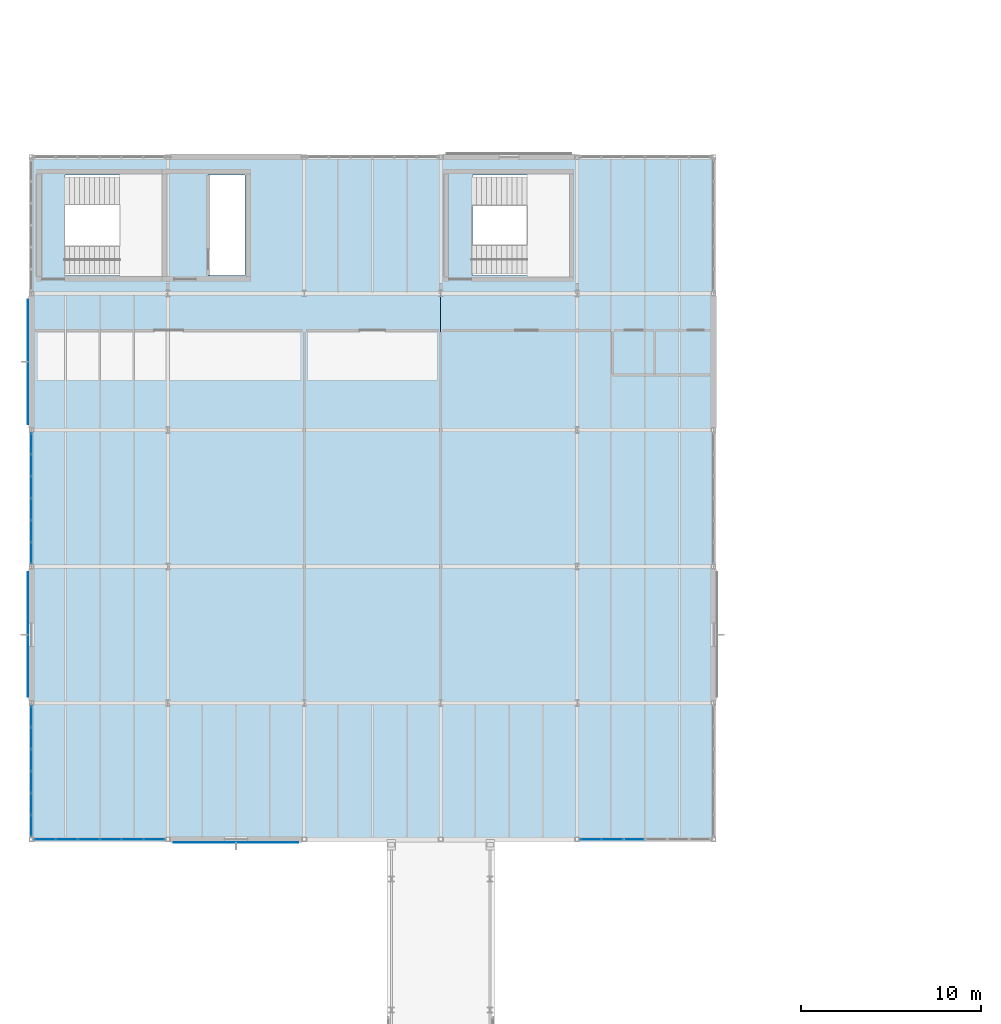
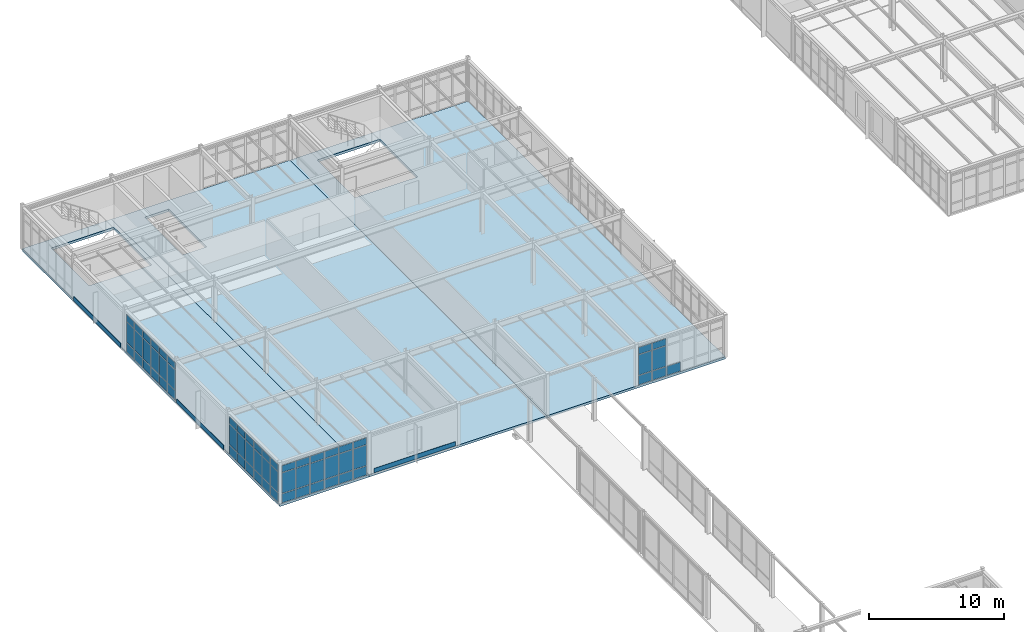
# One storey, part 143 of 189: 64 plates, 3 slabs, 4 elements without a shape of their own.
"""IFC4 building model written with IfcOpenShell, lengths in metres."""

import ifcopenshell
import ifcopenshell.guid

model = None  # the IFC model being written
_history = None  # IfcOwnerHistory: only IFC2X3 demands one
_inside = {}  # id of a spatial element -> (the spatial element, [elements in it])
_under = {}  # id of a project, library or spatial element -> (it, [spatial elements below it])
_declared = {}  # id of a project -> (the project, [libraries it declares])
_typed = {}  # id of a type object -> (the type object, [elements of that type])
_made_of = {}  # id of a material, layer set ... -> (it, [elements and type objects made of it])


def new_model(schema):
    """Start an empty IFC model of exactly this schema.

    Asked for "IFC4X3", IfcOpenShell would pick the latest addendum, in which some entities
    have other attributes; the version numbers below select the first issue.
    IFC2X3 requires an IfcOwnerHistory on every rooted entity: one is made here for all.
    """
    global model, _history
    if schema == "IFC4X3":
        model = ifcopenshell.file(schema_version=(4, 3, 0, 0))
    else:
        model = ifcopenshell.file(schema=schema)
    _inside.clear()
    _under.clear()
    _declared.clear()
    _typed.clear()
    _made_of.clear()
    _history = None
    if model.schema == "IFC2X3":
        org = make("IfcOrganization", Name="unknown")
        user = make(
            "IfcPersonAndOrganization",
            ThePerson=make("IfcPerson", FamilyName="unknown"),
            TheOrganization=org,
        )
        app = make(
            "IfcApplication",
            ApplicationDeveloper=org,
            Version="unknown",
            ApplicationFullName="unknown",
            ApplicationIdentifier="unknown",
        )
        _history = make(
            "IfcOwnerHistory",
            OwningUser=user,
            OwningApplication=app,
            ChangeAction="ADDED",
            CreationDate=0,
        )
    return model


def make(cls, **values):
    """One entity of the class cls with the attributes given. An attribute that is None is left unset."""
    return model.create_entity(
        cls, **{name: value for name, value in values.items() if value is not None}
    )


def rooted(cls, **values):
    """An entity with a GlobalId (a new one), such as an element, a storey or a relation."""
    return make(cls, GlobalId=ifcopenshell.guid.new(), OwnerHistory=_history, **values)


def si_unit(unit_type, name, prefix=None):
    """IfcSIUnit, for example si_unit("LENGTHUNIT", "METRE", prefix="MILLI")."""
    return make("IfcSIUnit", UnitType=unit_type, Prefix=prefix, Name=name)


def assignment(units):
    """IfcUnitAssignment: the units of a project."""
    return None if units is None else make("IfcUnitAssignment", Units=units)


def point(xyz):
    """IfcCartesianPoint."""
    return None if xyz is None else make("IfcCartesianPoint", Coordinates=xyz)


def direction(xyz):
    """IfcDirection."""
    return None if xyz is None else make("IfcDirection", DirectionRatios=xyz)


def frame(location, z_axis=None, x_axis=None):
    """IfcAxis2Placement3D, a coordinate frame: its origin and axes. An axis left out is left unset."""
    return make(
        "IfcAxis2Placement3D",
        Location=point(location),
        Axis=direction(z_axis),
        RefDirection=direction(x_axis),
    )


def frame_2d(location, x_axis=None):
    """IfcAxis2Placement2D, a coordinate frame in the plane: its origin and x axis."""
    return make(
        "IfcAxis2Placement2D", Location=point(location), RefDirection=direction(x_axis)
    )


def origin():
    """The frame at (0, 0, 0) with its axes left unset."""
    return frame((0.0, 0.0, 0.0))


def origin_2d():
    """The frame at (0, 0) in the plane with its x axis left unset."""
    return frame_2d((0.0, 0.0))


def place(relative_to, where):
    """IfcLocalPlacement: puts the frame where relative to a parent placement (None: the world)."""
    return make(
        "IfcLocalPlacement", PlacementRelTo=relative_to, RelativePlacement=where
    )


def context(
    kind, dimensions, precision=None, world=None, true_north=None, identifier=None
):
    """IfcGeometricRepresentationContext, for example the 3D "Model" context."""
    return make(
        "IfcGeometricRepresentationContext",
        ContextIdentifier=identifier,
        ContextType=kind,
        CoordinateSpaceDimension=dimensions,
        Precision=precision,
        WorldCoordinateSystem=world,
        TrueNorth=true_north,
    )


def subcontext(parent, identifier, kind, view, scale=None):
    """IfcGeometricRepresentationSubContext, for example "Body" below "Model"."""
    return make(
        "IfcGeometricRepresentationSubContext",
        ContextIdentifier=identifier,
        ContextType=kind,
        ParentContext=parent,
        TargetScale=scale,
        TargetView=view,
    )


def project(units=None, contexts=None):
    """IfcProject with its units and contexts."""
    return rooted(
        "IfcProject",
        Name="project",
        RepresentationContexts=contexts,
        UnitsInContext=assignment(units),
    )


def spatial(cls, under=None, at=None, **own):
    """A site, building, storey or space (cls), placed at a placement, below another one or the project."""
    s = rooted(cls, ObjectPlacement=at, **own)
    if under is not None:
        _under.setdefault(under.id(), (under, []))[1].append(s)
    return s


def polyline(points):
    """IfcPolyline through the points."""
    return make("IfcPolyline", Points=[point(p) for p in points])


def profile(cls, at=None, kind="AREA", **sizes):
    """A parametric profile (cls). Its sizes go by their IFC names, for example OverallWidth=200.0."""
    return make(cls, ProfileType=kind, Position=at, **sizes)


def rectangle(**sizes):
    """IfcRectangleProfileDef."""
    return profile("IfcRectangleProfileDef", **sizes)


def outline(outer, holes=None, kind="AREA"):
    """IfcArbitraryClosedProfileDef: a profile drawn as a closed curve; with holes, ...WithVoids."""
    if holes is None:
        return make("IfcArbitraryClosedProfileDef", ProfileType=kind, OuterCurve=outer)
    return make(
        "IfcArbitraryProfileDefWithVoids",
        ProfileType=kind,
        OuterCurve=outer,
        InnerCurves=holes,
    )


def extrude(swept, where, along, depth):
    """IfcExtrudedAreaSolid: the profile swept, set in the frame where, extruded along a direction by depth."""
    return make(
        "IfcExtrudedAreaSolid",
        SweptArea=swept,
        Position=where,
        ExtrudedDirection=direction(along),
        Depth=depth,
    )


def shape(context_of_items, identifier, shape_type, items):
    """IfcShapeRepresentation: the items that make up one representation, for example the "Body"."""
    return make(
        "IfcShapeRepresentation",
        ContextOfItems=context_of_items,
        RepresentationIdentifier=identifier,
        RepresentationType=shape_type,
        Items=items,
    )


def material(Name=None, Category=None):
    """IfcMaterial."""
    return make("IfcMaterial", Name=Name, Category=Category)


def layer(
    of_material, thickness, ventilated=None, Name=None, Category=None, Priority=None
):
    """IfcMaterialLayer: one layer of a wall or slab, of a material (None: an air gap)."""
    return make(
        "IfcMaterialLayer",
        Material=of_material,
        LayerThickness=thickness,
        IsVentilated=ventilated,
        Name=Name,
        Category=Category,
        Priority=Priority,
    )


def layer_set(layers, Name=None):
    """IfcMaterialLayerSet."""
    return make("IfcMaterialLayerSet", MaterialLayers=layers, LayerSetName=Name)


def made_of(thing, what):
    """Note that an element or type object is made of a material, layer set ...; save() writes the relation."""
    if what is not None:
        _made_of.setdefault(what.id(), (what, []))[1].append(thing)
    return thing


def type_object(cls, material=None, **own):
    """A type object (cls), such as IfcWallType, which elements share."""
    return made_of(rooted(cls, **own), material)


def element(
    cls,
    number,
    at=None,
    inside=None,
    cuts=None,
    type_object=None,
    material=None,
    context=None,
    identifier="Body",
    shape_type=None,
    held_by="IfcProductDefinitionShape",
    body=None,
    shapes=None,
    **own,
):
    """One element of the class cls, such as IfcWall. Its Tag is "e" and its number.

    at: its placement. inside: the storey or other place that contains it. cuts: it is an
    opening in that element (IfcRelVoidsElement). A single representation is given by context,
    identifier, shape_type and body (its items); several are given by shapes. held_by: the class
    of the entity that holds the representations. save() writes the other relations.
    """
    e = rooted(cls, Tag="e%d" % number, ObjectPlacement=at, **own)
    if body is not None:
        shapes = [shape(context, identifier, shape_type, body)]
    if shapes is not None:
        e.Representation = make(held_by, Representations=shapes)
    if inside is not None:
        _inside.setdefault(inside.id(), (inside, []))[1].append(e)
    if cuts is not None:
        rooted(
            "IfcRelVoidsElement", RelatingBuildingElement=cuts, RelatedOpeningElement=e
        )
    if type_object is not None:
        _typed.setdefault(type_object.id(), (type_object, []))[1].append(e)
    return made_of(e, material)


def aggregate(whole, parts):
    """IfcRelAggregates: a whole, such as a stair, and the parts it consists of."""
    return rooted("IfcRelAggregates", RelatingObject=whole, RelatedObjects=parts)


def save(model, path):
    """Write the relations noted so far, then the file.

    IfcRelAggregates (storeys below a building ...), IfcRelContainedInSpatialStructure (elements
    in a storey), IfcRelDefinesByType, IfcRelAssociatesMaterial and IfcRelDeclares: one each for
    every whole, place, type object, material and project.
    """
    for whole, parts in _under.values():
        aggregate(whole, parts)
    for where, things in _inside.values():
        rooted(
            "IfcRelContainedInSpatialStructure",
            RelatedElements=things,
            RelatingStructure=where,
        )
    for kind, things in _typed.values():
        rooted("IfcRelDefinesByType", RelatedObjects=things, RelatingType=kind)
    for what, things in _made_of.values():
        rooted("IfcRelAssociatesMaterial", RelatedObjects=things, RelatingMaterial=what)
    for by, libraries in _declared.values():
        rooted("IfcRelDeclares", RelatingContext=by, RelatedDefinitions=libraries)
    model.write(path)


model = new_model("IFC4")

# Units and contexts
model_context = context("Model", 3, precision=1e-05, world=origin(), true_north=direction((0.0, 1.0)))
body_context = subcontext(model_context, "Body", "Model", "MODEL_VIEW")
ifc_project = project(units=[si_unit("LENGTHUNIT", "METRE"), si_unit("AREAUNIT", "SQUARE_METRE"), si_unit("VOLUMEUNIT", "CUBIC_METRE"), si_unit("PLANEANGLEUNIT", "RADIAN"), si_unit("MASSUNIT", "GRAM", prefix="KILO")], contexts=[model_context])

# Site, building, storey
site_placement = place(None, origin())
site = spatial("IfcSite", under=ifc_project, at=site_placement, CompositionType="ELEMENT")
building_placement = place(site_placement, origin())
building = spatial("IfcBuilding", under=site, at=building_placement, Name="Montecoro Central Library", CompositionType="ELEMENT")
storey_placement = place(building_placement, frame((0.0, 0.0, 9.179931640625)))
storey = spatial("IfcBuildingStorey", under=building, at=storey_placement, Name="L02", CompositionType="ELEMENT", Elevation=9.179931640625)

# Curtain wall, plates
ifc_material_1 = material(Name="Bronze-anodised aluminium and low-E glazing", Category="aluminium")
ifc_layer_1 = layer(ifc_material_1, 0.159912109375)
ifc_layer_set_1 = layer_set([ifc_layer_1], Name="Bronze-anodised aluminium and low-E glazing")
curtain_wall_type_1 = type_object("IfcCurtainWallType", Name="CWT-049", PredefinedType="NOTDEFINED", material=ifc_layer_set_1)
curtain_wall_1_placement = place(storey_placement, origin())
curtain_wall_1 = element("IfcCurtainWall", 1, at=curtain_wall_1_placement, inside=storey, type_object=curtain_wall_type_1, Name="V4-L02-CW-W2", PredefinedType="NOTDEFINED")
ifc_material_2 = material(Name="Laminated low-E double glazing", Category="glass")
ifc_layer_2 = layer(ifc_material_2, 0.02587890625)
ifc_layer_set_2 = layer_set([ifc_layer_2], Name="Laminated low-E double glazing")
plate_type_1 = type_object("IfcPlateType", Name="CWP-GLZ-01", PredefinedType="CURTAIN_PANEL", material=ifc_layer_set_2)
plate_1_placement = place(storey_placement, frame((5.0, 95.44091796875, 0.06005859375), z_axis=(0.0, 0.0, 1.0), x_axis=(0.0, -1.0, 0.0)))
plate_1 = element("IfcPlate", 2, at=plate_1_placement, type_object=plate_type_1, Name="CW-049 panel 1.1", PredefinedType="CURTAIN_PANEL", context=body_context, shape_type="SweptSolid", body=[
    extrude(rectangle(XDim=1.13232421875, YDim=0.02587890625, at=origin_2d()), origin(), (0.0, 0.0, 1.0), 0.81005859375),
])
plate_2_placement = place(storey_placement, frame((5.0, 95.44091796875, 0.93017578125), z_axis=(0.0, 0.0, 1.0), x_axis=(0.0, -1.0, 0.0)))
plate_2 = element("IfcPlate", 3, at=plate_2_placement, type_object=plate_type_1, Name="CW-049 panel 1.2", PredefinedType="CURTAIN_PANEL", context=body_context, shape_type="SweptSolid", body=[
    extrude(rectangle(XDim=1.13232421875, YDim=0.02587890625, at=origin_2d()), origin(), (0.0, 0.0, 1.0), 1.820068359375),
])
plate_3_placement = place(storey_placement, frame((5.0, 95.44091796875, 2.81005859375), z_axis=(0.0, 0.0, 1.0), x_axis=(0.0, -1.0, 0.0)))
plate_3 = element("IfcPlate", 4, at=plate_3_placement, type_object=plate_type_1, Name="CW-049 panel 1.3", PredefinedType="CURTAIN_PANEL", context=body_context, shape_type="SweptSolid", body=[
    extrude(rectangle(XDim=1.13232421875, YDim=0.02587890625, at=origin_2d()), origin(), (0.0, 0.0, 1.0), 0.610107421875),
])
plate_4_placement = place(storey_placement, frame((5.0, 94.2333984375, 0.06005859375), z_axis=(0.0, 0.0, 1.0), x_axis=(0.0, -1.0, 0.0)))
plate_4 = element("IfcPlate", 5, at=plate_4_placement, type_object=plate_type_1, Name="CW-049 panel 2.1", PredefinedType="CURTAIN_PANEL", context=body_context, shape_type="SweptSolid", body=[
    extrude(rectangle(XDim=1.162353515625, YDim=0.02587890625, at=origin_2d()), origin(), (0.0, 0.0, 1.0), 0.81005859375),
])
plate_5_placement = place(storey_placement, frame((5.0, 94.2333984375, 0.93017578125), z_axis=(0.0, 0.0, 1.0), x_axis=(0.0, -1.0, 0.0)))
plate_5 = element("IfcPlate", 6, at=plate_5_placement, type_object=plate_type_1, Name="CW-049 panel 2.2", PredefinedType="CURTAIN_PANEL", context=body_context, shape_type="SweptSolid", body=[
    extrude(rectangle(XDim=1.162353515625, YDim=0.02587890625, at=origin_2d()), origin(), (0.0, 0.0, 1.0), 1.820068359375),
])
plate_6_placement = place(storey_placement, frame((5.0, 94.2333984375, 2.81005859375), z_axis=(0.0, 0.0, 1.0), x_axis=(0.0, -1.0, 0.0)))
plate_6 = element("IfcPlate", 7, at=plate_6_placement, type_object=plate_type_1, Name="CW-049 panel 2.3", PredefinedType="CURTAIN_PANEL", context=body_context, shape_type="SweptSolid", body=[
    extrude(rectangle(XDim=1.162353515625, YDim=0.02587890625, at=origin_2d()), origin(), (0.0, 0.0, 1.0), 0.610107421875),
])
plate_7_placement = place(storey_placement, frame((5.0, 93.01123046875, 0.06005859375), z_axis=(0.0, 0.0, 1.0), x_axis=(0.0, -1.0, 0.0)))
plate_7 = element("IfcPlate", 8, at=plate_7_placement, type_object=plate_type_1, Name="CW-049 panel 3.1", PredefinedType="CURTAIN_PANEL", context=body_context, shape_type="SweptSolid", body=[
    extrude(rectangle(XDim=1.162353515625, YDim=0.02587890625, at=origin_2d()), origin(), (0.0, 0.0, 1.0), 0.81005859375),
])
plate_8_placement = place(storey_placement, frame((5.0, 93.01123046875, 0.93017578125), z_axis=(0.0, 0.0, 1.0), x_axis=(0.0, -1.0, 0.0)))
plate_8 = element("IfcPlate", 9, at=plate_8_placement, type_object=plate_type_1, Name="CW-049 panel 3.2", PredefinedType="CURTAIN_PANEL", context=body_context, shape_type="SweptSolid", body=[
    extrude(rectangle(XDim=1.162353515625, YDim=0.02587890625, at=origin_2d()), origin(), (0.0, 0.0, 1.0), 1.820068359375),
])
plate_9_placement = place(storey_placement, frame((5.0, 93.01123046875, 2.81005859375), z_axis=(0.0, 0.0, 1.0), x_axis=(0.0, -1.0, 0.0)))
plate_9 = element("IfcPlate", 10, at=plate_9_placement, type_object=plate_type_1, Name="CW-049 panel 3.3", PredefinedType="CURTAIN_PANEL", context=body_context, shape_type="SweptSolid", body=[
    extrude(rectangle(XDim=1.162353515625, YDim=0.02587890625, at=origin_2d()), origin(), (0.0, 0.0, 1.0), 0.610107421875),
])
plate_10_placement = place(storey_placement, frame((5.0, 91.788818359375, 0.06005859375), z_axis=(0.0, 0.0, 1.0), x_axis=(0.0, -1.0, 0.0)))
plate_10 = element("IfcPlate", 11, at=plate_10_placement, type_object=plate_type_1, Name="CW-049 panel 4.1", PredefinedType="CURTAIN_PANEL", context=body_context, shape_type="SweptSolid", body=[
    extrude(rectangle(XDim=1.162353515625, YDim=0.02587890625, at=origin_2d()), origin(), (0.0, 0.0, 1.0), 0.81005859375),
])
plate_11_placement = place(storey_placement, frame((5.0, 91.788818359375, 0.93017578125), z_axis=(0.0, 0.0, 1.0), x_axis=(0.0, -1.0, 0.0)))
plate_11 = element("IfcPlate", 12, at=plate_11_placement, type_object=plate_type_1, Name="CW-049 panel 4.2", PredefinedType="CURTAIN_PANEL", context=body_context, shape_type="SweptSolid", body=[
    extrude(rectangle(XDim=1.162353515625, YDim=0.02587890625, at=origin_2d()), origin(), (0.0, 0.0, 1.0), 1.820068359375),
])
plate_12_placement = place(storey_placement, frame((5.0, 91.788818359375, 2.81005859375), z_axis=(0.0, 0.0, 1.0), x_axis=(0.0, -1.0, 0.0)))
plate_12 = element("IfcPlate", 13, at=plate_12_placement, type_object=plate_type_1, Name="CW-049 panel 4.3", PredefinedType="CURTAIN_PANEL", context=body_context, shape_type="SweptSolid", body=[
    extrude(rectangle(XDim=1.162353515625, YDim=0.02587890625, at=origin_2d()), origin(), (0.0, 0.0, 1.0), 0.610107421875),
])
plate_13_placement = place(storey_placement, frame((5.0, 90.56640625, 0.06005859375), z_axis=(0.0, 0.0, 1.0), x_axis=(0.0, -1.0, 0.0)))
plate_13 = element("IfcPlate", 14, at=plate_13_placement, type_object=plate_type_1, Name="CW-049 panel 5.1", PredefinedType="CURTAIN_PANEL", context=body_context, shape_type="SweptSolid", body=[
    extrude(rectangle(XDim=1.162353515625, YDim=0.02587890625, at=origin_2d()), origin(), (0.0, 0.0, 1.0), 0.81005859375),
])
plate_14_placement = place(storey_placement, frame((5.0, 90.56640625, 0.93017578125), z_axis=(0.0, 0.0, 1.0), x_axis=(0.0, -1.0, 0.0)))
plate_14 = element("IfcPlate", 15, at=plate_14_placement, type_object=plate_type_1, Name="CW-049 panel 5.2", PredefinedType="CURTAIN_PANEL", context=body_context, shape_type="SweptSolid", body=[
    extrude(rectangle(XDim=1.162353515625, YDim=0.02587890625, at=origin_2d()), origin(), (0.0, 0.0, 1.0), 1.820068359375),
])
plate_15_placement = place(storey_placement, frame((5.0, 90.56640625, 2.81005859375), z_axis=(0.0, 0.0, 1.0), x_axis=(0.0, -1.0, 0.0)))
plate_15 = element("IfcPlate", 16, at=plate_15_placement, type_object=plate_type_1, Name="CW-049 panel 5.3", PredefinedType="CURTAIN_PANEL", context=body_context, shape_type="SweptSolid", body=[
    extrude(rectangle(XDim=1.162353515625, YDim=0.02587890625, at=origin_2d()), origin(), (0.0, 0.0, 1.0), 0.610107421875),
])
plate_16_placement = place(storey_placement, frame((5.0, 89.359130859375, 0.06005859375), z_axis=(0.0, 0.0, 1.0), x_axis=(0.0, -1.0, 0.0)))
plate_16 = element("IfcPlate", 17, at=plate_16_placement, type_object=plate_type_1, Name="CW-049 panel 6.1", PredefinedType="CURTAIN_PANEL", context=body_context, shape_type="SweptSolid", body=[
    extrude(rectangle(XDim=1.13232421875, YDim=0.02587890625, at=origin_2d()), origin(), (0.0, 0.0, 1.0), 0.81005859375),
])
plate_17_placement = place(storey_placement, frame((5.0, 89.359130859375, 0.93017578125), z_axis=(0.0, 0.0, 1.0), x_axis=(0.0, -1.0, 0.0)))
plate_17 = element("IfcPlate", 18, at=plate_17_placement, type_object=plate_type_1, Name="CW-049 panel 6.2", PredefinedType="CURTAIN_PANEL", context=body_context, shape_type="SweptSolid", body=[
    extrude(rectangle(XDim=1.13232421875, YDim=0.02587890625, at=origin_2d()), origin(), (0.0, 0.0, 1.0), 1.820068359375),
])
plate_18_placement = place(storey_placement, frame((5.0, 89.359130859375, 2.81005859375), z_axis=(0.0, 0.0, 1.0), x_axis=(0.0, -1.0, 0.0)))
plate_18 = element("IfcPlate", 19, at=plate_18_placement, type_object=plate_type_1, Name="CW-049 panel 6.3", PredefinedType="CURTAIN_PANEL", context=body_context, shape_type="SweptSolid", body=[
    extrude(rectangle(XDim=1.13232421875, YDim=0.02587890625, at=origin_2d()), origin(), (0.0, 0.0, 1.0), 0.610107421875),
])
aggregate(curtain_wall_1, [plate_1, plate_2, plate_3, plate_4, plate_5, plate_6, plate_7, plate_8, plate_9, plate_10, plate_11, plate_12, plate_13, plate_14, plate_15, plate_16, plate_17, plate_18])

ifc_layer_3 = layer(ifc_material_1, 0.159912109375)
ifc_layer_set_3 = layer_set([ifc_layer_3], Name="Bronze-anodised aluminium and low-E glazing")
curtain_wall_type_2 = type_object("IfcCurtainWallType", Name="CWT-046", PredefinedType="NOTDEFINED", material=ifc_layer_set_3)
curtain_wall_2_placement = place(storey_placement, origin())
curtain_wall_2 = element("IfcCurtainWall", 20, at=curtain_wall_2_placement, inside=storey, type_object=curtain_wall_type_2, Name="V4-L02-CW-S4", PredefinedType="NOTDEFINED")
ifc_layer_4 = layer(ifc_material_2, 0.033935546875)
ifc_layer_set_4 = layer_set([ifc_layer_4], Name="Laminated low-E double glazing")
plate_type_2 = type_object("IfcPlateType", Name="CWP-GLZ-03", PredefinedType="CURTAIN_PANEL", material=ifc_layer_set_4)
plate_19_placement = place(storey_placement, frame((36.1591796875, 73.39990234375, 0.06005859375), z_axis=(0.0, 0.0, 1.0), x_axis=(1.0, 0.0, 0.0)))
plate_19 = element("IfcPlate", 21, at=plate_19_placement, type_object=plate_type_2, Name="CW-046 panel 1.1", PredefinedType="CURTAIN_PANEL", context=body_context, shape_type="SweptSolid", body=[
    extrude(rectangle(XDim=1.13232421875, YDim=0.033935546875, at=origin_2d()), origin(), (0.0, 0.0, 1.0), 0.81005859375),
])
plate_20_placement = place(storey_placement, frame((36.1591796875, 73.39990234375, 0.93017578125), z_axis=(0.0, 0.0, 1.0), x_axis=(1.0, 0.0, 0.0)))
plate_20 = element("IfcPlate", 22, at=plate_20_placement, type_object=plate_type_2, Name="CW-046 panel 1.2", PredefinedType="CURTAIN_PANEL", context=body_context, shape_type="SweptSolid", body=[
    extrude(rectangle(XDim=1.13232421875, YDim=0.033935546875, at=origin_2d()), origin(), (0.0, 0.0, 1.0), 1.820068359375),
])
plate_21_placement = place(storey_placement, frame((36.1591796875, 73.39990234375, 2.81005859375), z_axis=(0.0, 0.0, 1.0), x_axis=(1.0, 0.0, 0.0)))
plate_21 = element("IfcPlate", 23, at=plate_21_placement, type_object=plate_type_2, Name="CW-046 panel 1.3", PredefinedType="CURTAIN_PANEL", context=body_context, shape_type="SweptSolid", body=[
    extrude(rectangle(XDim=1.13232421875, YDim=0.033935546875, at=origin_2d()), origin(), (0.0, 0.0, 1.0), 0.610107421875),
])
plate_22_placement = place(storey_placement, frame((37.366455078125, 73.39990234375, 0.06005859375), z_axis=(0.0, 0.0, 1.0), x_axis=(1.0, 0.0, 0.0)))
plate_22 = element("IfcPlate", 24, at=plate_22_placement, type_object=plate_type_2, Name="CW-046 panel 2.1", PredefinedType="CURTAIN_PANEL", context=body_context, shape_type="SweptSolid", body=[
    extrude(rectangle(XDim=1.162353515625, YDim=0.033935546875, at=origin_2d()), origin(), (0.0, 0.0, 1.0), 0.81005859375),
])
plate_23_placement = place(storey_placement, frame((37.366455078125, 73.39990234375, 0.93017578125), z_axis=(0.0, 0.0, 1.0), x_axis=(1.0, 0.0, 0.0)))
plate_23 = element("IfcPlate", 25, at=plate_23_placement, type_object=plate_type_2, Name="CW-046 panel 2.2", PredefinedType="CURTAIN_PANEL", context=body_context, shape_type="SweptSolid", body=[
    extrude(rectangle(XDim=1.162353515625, YDim=0.033935546875, at=origin_2d()), origin(), (0.0, 0.0, 1.0), 1.820068359375),
])
plate_24_placement = place(storey_placement, frame((37.366455078125, 73.39990234375, 2.81005859375), z_axis=(0.0, 0.0, 1.0), x_axis=(1.0, 0.0, 0.0)))
plate_24 = element("IfcPlate", 26, at=plate_24_placement, type_object=plate_type_2, Name="CW-046 panel 2.3", PredefinedType="CURTAIN_PANEL", context=body_context, shape_type="SweptSolid", body=[
    extrude(rectangle(XDim=1.162353515625, YDim=0.033935546875, at=origin_2d()), origin(), (0.0, 0.0, 1.0), 0.610107421875),
])
plate_25_placement = place(storey_placement, frame((38.5888671875, 73.39990234375, 0.06005859375), z_axis=(0.0, 0.0, 1.0), x_axis=(1.0, 0.0, 0.0)))
plate_25 = element("IfcPlate", 27, at=plate_25_placement, type_object=plate_type_2, Name="CW-046 panel 3.1", PredefinedType="CURTAIN_PANEL", context=body_context, shape_type="SweptSolid", body=[
    extrude(rectangle(XDim=1.162353515625, YDim=0.033935546875, at=origin_2d()), origin(), (0.0, 0.0, 1.0), 0.81005859375),
])
aggregate(curtain_wall_2, [plate_19, plate_20, plate_21, plate_22, plate_23, plate_24, plate_25])

curtain_wall_3_placement = place(storey_placement, origin())
curtain_wall_3 = element("IfcCurtainWall", 28, at=curtain_wall_3_placement, inside=storey, type_object=curtain_wall_type_2, Name="V4-L02-CW-S0", PredefinedType="NOTDEFINED")
ifc_layer_5 = layer(ifc_material_2, 0.0380859375)
ifc_layer_set_5 = layer_set([ifc_layer_5], Name="Laminated low-E double glazing")
plate_type_3 = type_object("IfcPlateType", Name="CWP-GLZ-04", PredefinedType="CURTAIN_PANEL", material=ifc_layer_set_5)
plate_26_placement = place(storey_placement, frame((5.75927734375, 73.39990234375, 0.06005859375), z_axis=(0.0, 0.0, 1.0), x_axis=(1.0, 0.0, 0.0)))
plate_26 = element("IfcPlate", 29, at=plate_26_placement, type_object=plate_type_3, Name="CW-046 panel 1.1", PredefinedType="CURTAIN_PANEL", context=body_context, shape_type="SweptSolid", body=[
    extrude(rectangle(XDim=1.13232421875, YDim=0.0380859375, at=origin_2d()), origin(), (0.0, 0.0, 1.0), 0.81005859375),
])
plate_27_placement = place(storey_placement, frame((5.75927734375, 73.39990234375, 0.93017578125), z_axis=(0.0, 0.0, 1.0), x_axis=(1.0, 0.0, 0.0)))
plate_27 = element("IfcPlate", 30, at=plate_27_placement, type_object=plate_type_3, Name="CW-046 panel 1.2", PredefinedType="CURTAIN_PANEL", context=body_context, shape_type="SweptSolid", body=[
    extrude(rectangle(XDim=1.13232421875, YDim=0.0380859375, at=origin_2d()), origin(), (0.0, 0.0, 1.0), 1.820068359375),
])
plate_28_placement = place(storey_placement, frame((5.75927734375, 73.39990234375, 2.81005859375), z_axis=(0.0, 0.0, 1.0), x_axis=(1.0, 0.0, 0.0)))
plate_28 = element("IfcPlate", 31, at=plate_28_placement, type_object=plate_type_3, Name="CW-046 panel 1.3", PredefinedType="CURTAIN_PANEL", context=body_context, shape_type="SweptSolid", body=[
    extrude(rectangle(XDim=1.13232421875, YDim=0.0380859375, at=origin_2d()), origin(), (0.0, 0.0, 1.0), 0.610107421875),
])
plate_29_placement = place(storey_placement, frame((6.966552734375, 73.39990234375, 0.06005859375), z_axis=(0.0, 0.0, 1.0), x_axis=(1.0, 0.0, 0.0)))
plate_29 = element("IfcPlate", 32, at=plate_29_placement, type_object=plate_type_3, Name="CW-046 panel 2.1", PredefinedType="CURTAIN_PANEL", context=body_context, shape_type="SweptSolid", body=[
    extrude(rectangle(XDim=1.162353515625, YDim=0.0380859375, at=origin_2d()), origin(), (0.0, 0.0, 1.0), 0.81005859375),
])
plate_30_placement = place(storey_placement, frame((6.966552734375, 73.39990234375, 0.93017578125), z_axis=(0.0, 0.0, 1.0), x_axis=(1.0, 0.0, 0.0)))
plate_30 = element("IfcPlate", 33, at=plate_30_placement, type_object=plate_type_3, Name="CW-046 panel 2.2", PredefinedType="CURTAIN_PANEL", context=body_context, shape_type="SweptSolid", body=[
    extrude(rectangle(XDim=1.162353515625, YDim=0.0380859375, at=origin_2d()), origin(), (0.0, 0.0, 1.0), 1.820068359375),
])
plate_31_placement = place(storey_placement, frame((6.966552734375, 73.39990234375, 2.81005859375), z_axis=(0.0, 0.0, 1.0), x_axis=(1.0, 0.0, 0.0)))
plate_31 = element("IfcPlate", 34, at=plate_31_placement, type_object=plate_type_3, Name="CW-046 panel 2.3", PredefinedType="CURTAIN_PANEL", context=body_context, shape_type="SweptSolid", body=[
    extrude(rectangle(XDim=1.162353515625, YDim=0.0380859375, at=origin_2d()), origin(), (0.0, 0.0, 1.0), 0.610107421875),
])
plate_32_placement = place(storey_placement, frame((8.188720703125, 73.39990234375, 0.06005859375), z_axis=(0.0, 0.0, 1.0), x_axis=(1.0, 0.0, 0.0)))
plate_32 = element("IfcPlate", 35, at=plate_32_placement, type_object=plate_type_3, Name="CW-046 panel 3.1", PredefinedType="CURTAIN_PANEL", context=body_context, shape_type="SweptSolid", body=[
    extrude(rectangle(XDim=1.162353515625, YDim=0.0380859375, at=origin_2d()), origin(), (0.0, 0.0, 1.0), 0.81005859375),
])
plate_33_placement = place(storey_placement, frame((8.188720703125, 73.39990234375, 0.93017578125), z_axis=(0.0, 0.0, 1.0), x_axis=(1.0, 0.0, 0.0)))
plate_33 = element("IfcPlate", 36, at=plate_33_placement, type_object=plate_type_3, Name="CW-046 panel 3.2", PredefinedType="CURTAIN_PANEL", context=body_context, shape_type="SweptSolid", body=[
    extrude(rectangle(XDim=1.162353515625, YDim=0.0380859375, at=origin_2d()), origin(), (0.0, 0.0, 1.0), 1.820068359375),
])
plate_34_placement = place(storey_placement, frame((8.188720703125, 73.39990234375, 2.81005859375), z_axis=(0.0, 0.0, 1.0), x_axis=(1.0, 0.0, 0.0)))
plate_34 = element("IfcPlate", 37, at=plate_34_placement, type_object=plate_type_3, Name="CW-046 panel 3.3", PredefinedType="CURTAIN_PANEL", context=body_context, shape_type="SweptSolid", body=[
    extrude(rectangle(XDim=1.162353515625, YDim=0.0380859375, at=origin_2d()), origin(), (0.0, 0.0, 1.0), 0.610107421875),
])
plate_35_placement = place(storey_placement, frame((9.4111328125, 73.39990234375, 0.06005859375), z_axis=(0.0, 0.0, 1.0), x_axis=(1.0, 0.0, 0.0)))
plate_35 = element("IfcPlate", 38, at=plate_35_placement, type_object=plate_type_3, Name="CW-046 panel 4.1", PredefinedType="CURTAIN_PANEL", context=body_context, shape_type="SweptSolid", body=[
    extrude(rectangle(XDim=1.162353515625, YDim=0.0380859375, at=origin_2d()), origin(), (0.0, 0.0, 1.0), 0.81005859375),
])
plate_36_placement = place(storey_placement, frame((9.4111328125, 73.39990234375, 0.93017578125), z_axis=(0.0, 0.0, 1.0), x_axis=(1.0, 0.0, 0.0)))
plate_36 = element("IfcPlate", 39, at=plate_36_placement, type_object=plate_type_3, Name="CW-046 panel 4.2", PredefinedType="CURTAIN_PANEL", context=body_context, shape_type="SweptSolid", body=[
    extrude(rectangle(XDim=1.162353515625, YDim=0.0380859375, at=origin_2d()), origin(), (0.0, 0.0, 1.0), 1.820068359375),
])
plate_37_placement = place(storey_placement, frame((9.4111328125, 73.39990234375, 2.81005859375), z_axis=(0.0, 0.0, 1.0), x_axis=(1.0, 0.0, 0.0)))
plate_37 = element("IfcPlate", 40, at=plate_37_placement, type_object=plate_type_3, Name="CW-046 panel 4.3", PredefinedType="CURTAIN_PANEL", context=body_context, shape_type="SweptSolid", body=[
    extrude(rectangle(XDim=1.162353515625, YDim=0.0380859375, at=origin_2d()), origin(), (0.0, 0.0, 1.0), 0.610107421875),
])
plate_38_placement = place(storey_placement, frame((10.633544921875, 73.39990234375, 0.06005859375), z_axis=(0.0, 0.0, 1.0), x_axis=(1.0, 0.0, 0.0)))
plate_38 = element("IfcPlate", 41, at=plate_38_placement, type_object=plate_type_3, Name="CW-046 panel 5.1", PredefinedType="CURTAIN_PANEL", context=body_context, shape_type="SweptSolid", body=[
    extrude(rectangle(XDim=1.162353515625, YDim=0.0380859375, at=origin_2d()), origin(), (0.0, 0.0, 1.0), 0.81005859375),
])
plate_39_placement = place(storey_placement, frame((10.633544921875, 73.39990234375, 0.93017578125), z_axis=(0.0, 0.0, 1.0), x_axis=(1.0, 0.0, 0.0)))
plate_39 = element("IfcPlate", 42, at=plate_39_placement, type_object=plate_type_3, Name="CW-046 panel 5.2", PredefinedType="CURTAIN_PANEL", context=body_context, shape_type="SweptSolid", body=[
    extrude(rectangle(XDim=1.162353515625, YDim=0.0380859375, at=origin_2d()), origin(), (0.0, 0.0, 1.0), 1.820068359375),
])
plate_40_placement = place(storey_placement, frame((10.633544921875, 73.39990234375, 2.81005859375), z_axis=(0.0, 0.0, 1.0), x_axis=(1.0, 0.0, 0.0)))
plate_40 = element("IfcPlate", 43, at=plate_40_placement, type_object=plate_type_3, Name="CW-046 panel 5.3", PredefinedType="CURTAIN_PANEL", context=body_context, shape_type="SweptSolid", body=[
    extrude(rectangle(XDim=1.162353515625, YDim=0.0380859375, at=origin_2d()), origin(), (0.0, 0.0, 1.0), 0.610107421875),
])
plate_41_placement = place(storey_placement, frame((11.8408203125, 73.39990234375, 0.06005859375), z_axis=(0.0, 0.0, 1.0), x_axis=(1.0, 0.0, 0.0)))
plate_41 = element("IfcPlate", 44, at=plate_41_placement, type_object=plate_type_3, Name="CW-046 panel 6.1", PredefinedType="CURTAIN_PANEL", context=body_context, shape_type="SweptSolid", body=[
    extrude(rectangle(XDim=1.13232421875, YDim=0.0380859375, at=origin_2d()), origin(), (0.0, 0.0, 1.0), 0.81005859375),
])
plate_42_placement = place(storey_placement, frame((11.8408203125, 73.39990234375, 0.93017578125), z_axis=(0.0, 0.0, 1.0), x_axis=(1.0, 0.0, 0.0)))
plate_42 = element("IfcPlate", 45, at=plate_42_placement, type_object=plate_type_3, Name="CW-046 panel 6.2", PredefinedType="CURTAIN_PANEL", context=body_context, shape_type="SweptSolid", body=[
    extrude(rectangle(XDim=1.13232421875, YDim=0.0380859375, at=origin_2d()), origin(), (0.0, 0.0, 1.0), 1.820068359375),
])
plate_43_placement = place(storey_placement, frame((11.8408203125, 73.39990234375, 2.81005859375), z_axis=(0.0, 0.0, 1.0), x_axis=(1.0, 0.0, 0.0)))
plate_43 = element("IfcPlate", 46, at=plate_43_placement, type_object=plate_type_3, Name="CW-046 panel 6.3", PredefinedType="CURTAIN_PANEL", context=body_context, shape_type="SweptSolid", body=[
    extrude(rectangle(XDim=1.13232421875, YDim=0.0380859375, at=origin_2d()), origin(), (0.0, 0.0, 1.0), 0.610107421875),
])
aggregate(curtain_wall_3, [plate_26, plate_27, plate_28, plate_29, plate_30, plate_31, plate_32, plate_33, plate_34, plate_35, plate_36, plate_37, plate_38, plate_39, plate_40, plate_41, plate_42, plate_43])

curtain_wall_4_placement = place(storey_placement, origin())
curtain_wall_4 = element("IfcCurtainWall", 47, at=curtain_wall_4_placement, inside=storey, type_object=curtain_wall_type_1, Name="V4-L02-CW-W0", PredefinedType="NOTDEFINED")
plate_44_placement = place(storey_placement, frame((5.0, 80.24072265625, 0.06005859375), z_axis=(0.0, 0.0, 1.0), x_axis=(0.0, -1.0, 0.0)))
plate_44 = element("IfcPlate", 48, at=plate_44_placement, type_object=plate_type_3, Name="CW-049 panel 1.1", PredefinedType="CURTAIN_PANEL", context=body_context, shape_type="SweptSolid", body=[
    extrude(rectangle(XDim=1.13232421875, YDim=0.0380859375, at=origin_2d()), origin(), (0.0, 0.0, 1.0), 0.81005859375),
])
plate_45_placement = place(storey_placement, frame((5.0, 80.24072265625, 0.93017578125), z_axis=(0.0, 0.0, 1.0), x_axis=(0.0, -1.0, 0.0)))
plate_45 = element("IfcPlate", 49, at=plate_45_placement, type_object=plate_type_3, Name="CW-049 panel 1.2", PredefinedType="CURTAIN_PANEL", context=body_context, shape_type="SweptSolid", body=[
    extrude(rectangle(XDim=1.13232421875, YDim=0.0380859375, at=origin_2d()), origin(), (0.0, 0.0, 1.0), 1.820068359375),
])
plate_46_placement = place(storey_placement, frame((5.0, 80.24072265625, 2.81005859375), z_axis=(0.0, 0.0, 1.0), x_axis=(0.0, -1.0, 0.0)))
plate_46 = element("IfcPlate", 50, at=plate_46_placement, type_object=plate_type_3, Name="CW-049 panel 1.3", PredefinedType="CURTAIN_PANEL", context=body_context, shape_type="SweptSolid", body=[
    extrude(rectangle(XDim=1.13232421875, YDim=0.0380859375, at=origin_2d()), origin(), (0.0, 0.0, 1.0), 0.610107421875),
])
plate_47_placement = place(storey_placement, frame((5.0, 79.033447265625, 0.06005859375), z_axis=(0.0, 0.0, 1.0), x_axis=(0.0, -1.0, 0.0)))
plate_47 = element("IfcPlate", 51, at=plate_47_placement, type_object=plate_type_3, Name="CW-049 panel 2.1", PredefinedType="CURTAIN_PANEL", context=body_context, shape_type="SweptSolid", body=[
    extrude(rectangle(XDim=1.162353515625, YDim=0.0380859375, at=origin_2d()), origin(), (0.0, 0.0, 1.0), 0.81005859375),
])
plate_48_placement = place(storey_placement, frame((5.0, 79.033447265625, 0.93017578125), z_axis=(0.0, 0.0, 1.0), x_axis=(0.0, -1.0, 0.0)))
plate_48 = element("IfcPlate", 52, at=plate_48_placement, type_object=plate_type_3, Name="CW-049 panel 2.2", PredefinedType="CURTAIN_PANEL", context=body_context, shape_type="SweptSolid", body=[
    extrude(rectangle(XDim=1.162353515625, YDim=0.0380859375, at=origin_2d()), origin(), (0.0, 0.0, 1.0), 1.820068359375),
])
plate_49_placement = place(storey_placement, frame((5.0, 79.033447265625, 2.81005859375), z_axis=(0.0, 0.0, 1.0), x_axis=(0.0, -1.0, 0.0)))
plate_49 = element("IfcPlate", 53, at=plate_49_placement, type_object=plate_type_3, Name="CW-049 panel 2.3", PredefinedType="CURTAIN_PANEL", context=body_context, shape_type="SweptSolid", body=[
    extrude(rectangle(XDim=1.162353515625, YDim=0.0380859375, at=origin_2d()), origin(), (0.0, 0.0, 1.0), 0.610107421875),
])
plate_50_placement = place(storey_placement, frame((5.0, 77.811279296875, 0.06005859375), z_axis=(0.0, 0.0, 1.0), x_axis=(0.0, -1.0, 0.0)))
plate_50 = element("IfcPlate", 54, at=plate_50_placement, type_object=plate_type_3, Name="CW-049 panel 3.1", PredefinedType="CURTAIN_PANEL", context=body_context, shape_type="SweptSolid", body=[
    extrude(rectangle(XDim=1.162353515625, YDim=0.0380859375, at=origin_2d()), origin(), (0.0, 0.0, 1.0), 0.81005859375),
])
plate_51_placement = place(storey_placement, frame((5.0, 77.811279296875, 0.93017578125), z_axis=(0.0, 0.0, 1.0), x_axis=(0.0, -1.0, 0.0)))
plate_51 = element("IfcPlate", 55, at=plate_51_placement, type_object=plate_type_3, Name="CW-049 panel 3.2", PredefinedType="CURTAIN_PANEL", context=body_context, shape_type="SweptSolid", body=[
    extrude(rectangle(XDim=1.162353515625, YDim=0.0380859375, at=origin_2d()), origin(), (0.0, 0.0, 1.0), 1.820068359375),
])
plate_52_placement = place(storey_placement, frame((5.0, 77.811279296875, 2.81005859375), z_axis=(0.0, 0.0, 1.0), x_axis=(0.0, -1.0, 0.0)))
plate_52 = element("IfcPlate", 56, at=plate_52_placement, type_object=plate_type_3, Name="CW-049 panel 3.3", PredefinedType="CURTAIN_PANEL", context=body_context, shape_type="SweptSolid", body=[
    extrude(rectangle(XDim=1.162353515625, YDim=0.0380859375, at=origin_2d()), origin(), (0.0, 0.0, 1.0), 0.610107421875),
])
plate_53_placement = place(storey_placement, frame((5.0, 76.5888671875, 0.06005859375), z_axis=(0.0, 0.0, 1.0), x_axis=(0.0, -1.0, 0.0)))
plate_53 = element("IfcPlate", 57, at=plate_53_placement, type_object=plate_type_3, Name="CW-049 panel 4.1", PredefinedType="CURTAIN_PANEL", context=body_context, shape_type="SweptSolid", body=[
    extrude(rectangle(XDim=1.162353515625, YDim=0.0380859375, at=origin_2d()), origin(), (0.0, 0.0, 1.0), 0.81005859375),
])
plate_54_placement = place(storey_placement, frame((5.0, 76.5888671875, 0.93017578125), z_axis=(0.0, 0.0, 1.0), x_axis=(0.0, -1.0, 0.0)))
plate_54 = element("IfcPlate", 58, at=plate_54_placement, type_object=plate_type_3, Name="CW-049 panel 4.2", PredefinedType="CURTAIN_PANEL", context=body_context, shape_type="SweptSolid", body=[
    extrude(rectangle(XDim=1.162353515625, YDim=0.0380859375, at=origin_2d()), origin(), (0.0, 0.0, 1.0), 1.820068359375),
])
plate_55_placement = place(storey_placement, frame((5.0, 76.5888671875, 2.81005859375), z_axis=(0.0, 0.0, 1.0), x_axis=(0.0, -1.0, 0.0)))
plate_55 = element("IfcPlate", 59, at=plate_55_placement, type_object=plate_type_3, Name="CW-049 panel 4.3", PredefinedType="CURTAIN_PANEL", context=body_context, shape_type="SweptSolid", body=[
    extrude(rectangle(XDim=1.162353515625, YDim=0.0380859375, at=origin_2d()), origin(), (0.0, 0.0, 1.0), 0.610107421875),
])
plate_56_placement = place(storey_placement, frame((5.0, 75.366455078125, 0.06005859375), z_axis=(0.0, 0.0, 1.0), x_axis=(0.0, -1.0, 0.0)))
plate_56 = element("IfcPlate", 60, at=plate_56_placement, type_object=plate_type_3, Name="CW-049 panel 5.1", PredefinedType="CURTAIN_PANEL", context=body_context, shape_type="SweptSolid", body=[
    extrude(rectangle(XDim=1.162353515625, YDim=0.0380859375, at=origin_2d()), origin(), (0.0, 0.0, 1.0), 0.81005859375),
])
plate_57_placement = place(storey_placement, frame((5.0, 75.366455078125, 0.93017578125), z_axis=(0.0, 0.0, 1.0), x_axis=(0.0, -1.0, 0.0)))
plate_57 = element("IfcPlate", 61, at=plate_57_placement, type_object=plate_type_3, Name="CW-049 panel 5.2", PredefinedType="CURTAIN_PANEL", context=body_context, shape_type="SweptSolid", body=[
    extrude(rectangle(XDim=1.162353515625, YDim=0.0380859375, at=origin_2d()), origin(), (0.0, 0.0, 1.0), 1.820068359375),
])
plate_58_placement = place(storey_placement, frame((5.0, 75.366455078125, 2.81005859375), z_axis=(0.0, 0.0, 1.0), x_axis=(0.0, -1.0, 0.0)))
plate_58 = element("IfcPlate", 62, at=plate_58_placement, type_object=plate_type_3, Name="CW-049 panel 5.3", PredefinedType="CURTAIN_PANEL", context=body_context, shape_type="SweptSolid", body=[
    extrude(rectangle(XDim=1.162353515625, YDim=0.0380859375, at=origin_2d()), origin(), (0.0, 0.0, 1.0), 0.610107421875),
])
plate_59_placement = place(storey_placement, frame((5.0, 74.1591796875, 0.06005859375), z_axis=(0.0, 0.0, 1.0), x_axis=(0.0, -1.0, 0.0)))
plate_59 = element("IfcPlate", 63, at=plate_59_placement, type_object=plate_type_3, Name="CW-049 panel 6.1", PredefinedType="CURTAIN_PANEL", context=body_context, shape_type="SweptSolid", body=[
    extrude(rectangle(XDim=1.13232421875, YDim=0.0380859375, at=origin_2d()), origin(), (0.0, 0.0, 1.0), 0.81005859375),
])
plate_60_placement = place(storey_placement, frame((5.0, 74.1591796875, 0.93017578125), z_axis=(0.0, 0.0, 1.0), x_axis=(0.0, -1.0, 0.0)))
plate_60 = element("IfcPlate", 64, at=plate_60_placement, type_object=plate_type_3, Name="CW-049 panel 6.2", PredefinedType="CURTAIN_PANEL", context=body_context, shape_type="SweptSolid", body=[
    extrude(rectangle(XDim=1.13232421875, YDim=0.0380859375, at=origin_2d()), origin(), (0.0, 0.0, 1.0), 1.820068359375),
])
plate_61_placement = place(storey_placement, frame((5.0, 74.1591796875, 2.81005859375), z_axis=(0.0, 0.0, 1.0), x_axis=(0.0, -1.0, 0.0)))
plate_61 = element("IfcPlate", 65, at=plate_61_placement, type_object=plate_type_3, Name="CW-049 panel 6.3", PredefinedType="CURTAIN_PANEL", context=body_context, shape_type="SweptSolid", body=[
    extrude(rectangle(XDim=1.13232421875, YDim=0.0380859375, at=origin_2d()), origin(), (0.0, 0.0, 1.0), 0.610107421875),
])
aggregate(curtain_wall_4, [plate_44, plate_45, plate_46, plate_47, plate_48, plate_49, plate_50, plate_51, plate_52, plate_53, plate_54, plate_55, plate_56, plate_57, plate_58, plate_59, plate_60, plate_61])

# Plates
ifc_material_3 = material(Name="Architectural bronze spandrel plate", Category="aluminium")
ifc_layer_6 = layer(ifc_material_3, 0.02197265625)
ifc_layer_set_6 = layer_set([ifc_layer_6], Name="Architectural bronze spandrel plate")
plate_type_4 = type_object("IfcPlateType", Name="PLT-SPN-01", PredefinedType="SHEET", material=ifc_layer_set_6)
for number, where, z_axis, x_axis, name in (
    (66, (16.39990234375, 73.216552734375, 0.16015625), (0.0, 0.0, 1.0), (1.0, 0.0, 0.0), "V4-L02-SPN-S1"),
    (67, (4.81640625, 84.800048828125, 0.16015625), (0.0, 0.0, 1.0), (0.0, -1.0, 0.0), "V4-L02-SPN-W1"),
):
    element("IfcPlate", number, at=place(storey_placement, frame(where, z_axis=z_axis, x_axis=x_axis)), inside=storey, type_object=plate_type_4, Name=name, PredefinedType="SHEET", context=body_context, shape_type="SweptSolid", body=[
        extrude(rectangle(XDim=6.93408203125, YDim=0.02197265625, at=origin_2d()), origin(), (0.0, 0.0, 1.0), 0.39990234375),
    ])
ifc_layer_7 = layer(ifc_material_3, 0.035888671875)
ifc_layer_set_7 = layer_set([ifc_layer_7], Name="Architectural bronze spandrel plate")
plate_type_5 = type_object("IfcPlateType", Name="PLT-SPN-03", PredefinedType="SHEET", material=ifc_layer_set_7)
plate_62_placement = place(storey_placement, frame((4.8095703125, 100.0, 0.16015625), z_axis=(0.0, 0.0, 1.0), x_axis=(0.0, -1.0, 0.0)))
element("IfcPlate", 68, at=plate_62_placement, inside=storey, type_object=plate_type_5, Name="V4-L02-SPN-W3", PredefinedType="SHEET", context=body_context, shape_type="SweptSolid", body=[
    extrude(rectangle(XDim=6.93408203125, YDim=0.035888671875, at=origin_2d()), origin(), (0.0, 0.0, 1.0), 0.39990234375),
])

# Slabs
ifc_material_4 = material(Name="Concrete C32/40", Category="concrete")
ifc_layer_8 = layer(ifc_material_4, 0.215087890625)
ifc_layer_set_8 = layer_set([ifc_layer_8], Name="Concrete C32/40")
slab_type = type_object("IfcSlabType", Name="SL-FLR-215", PredefinedType="FLOOR", material=ifc_layer_set_8)
slab_1_placement = place(storey_placement, frame((0.0, 0.0, -0.21484375)))
element("IfcSlab", 69, at=slab_1_placement, inside=storey, type_object=slab_type, Name="V4-L02-SL1", PredefinedType="FLOOR", context=body_context, shape_type="SweptSolid", body=[
    extrude(outline(polyline([(5.0, 73.39990234375), (12.60009765625, 73.39990234375), (12.60009765625, 111.39990234375), (5.0, 111.39990234375), (5.0, 73.39990234375)]), holes=[polyline([(6.8798828125, 110.39990234375), (12.219970703125, 110.39990234375), (12.219970703125, 104.800048828125), (6.8798828125, 104.800048828125), (6.8798828125, 110.39990234375)])]), origin(), (0.0, 0.0, 1.0), 0.21484375),
])
slab_2_placement = place(storey_placement, frame((0.0, 0.0, -0.21484375)))
element("IfcSlab", 70, at=slab_2_placement, inside=storey, type_object=slab_type, Name="V4-L02-SL2", PredefinedType="FLOOR", context=body_context, shape_type="SweptSolid", body=[
    extrude(outline(polyline([(12.60009765625, 73.39990234375), (27.800048828125, 73.39990234375), (27.800048828125, 111.39990234375), (12.60009765625, 111.39990234375), (12.60009765625, 73.39990234375)]), holes=[polyline([(14.85009765625, 110.39990234375), (16.89990234375, 110.39990234375), (16.89990234375, 104.800048828125), (14.85009765625, 104.800048828125), (14.85009765625, 110.39990234375)])]), origin(), (0.0, 0.0, 1.0), 0.21484375),
])
slab_3_placement = place(storey_placement, frame((0.0, 0.0, -0.21484375)))
element("IfcSlab", 71, at=slab_3_placement, inside=storey, type_object=slab_type, Name="V4-L02-SL3", PredefinedType="FLOOR", context=body_context, shape_type="SweptSolid", body=[
    extrude(outline(polyline([(27.800048828125, 73.39990234375), (43.0, 73.39990234375), (43.0, 111.39990234375), (27.800048828125, 111.39990234375), (27.800048828125, 73.39990234375)]), holes=[polyline([(29.56005859375, 110.39990234375), (34.89990234375, 110.39990234375), (34.89990234375, 104.800048828125), (29.56005859375, 104.800048828125), (29.56005859375, 110.39990234375)])]), origin(), (0.0, 0.0, 1.0), 0.21484375),
])

save(model, "model.ifc")
